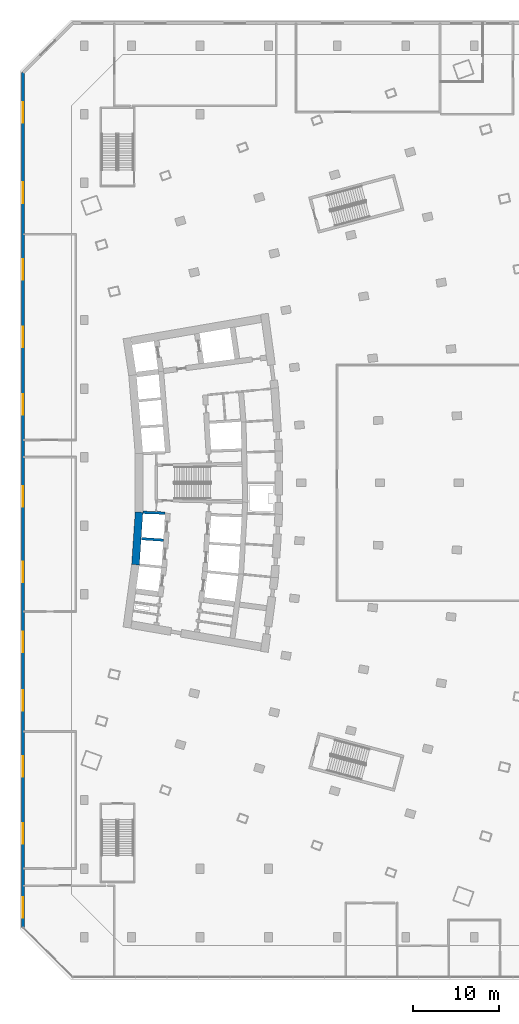
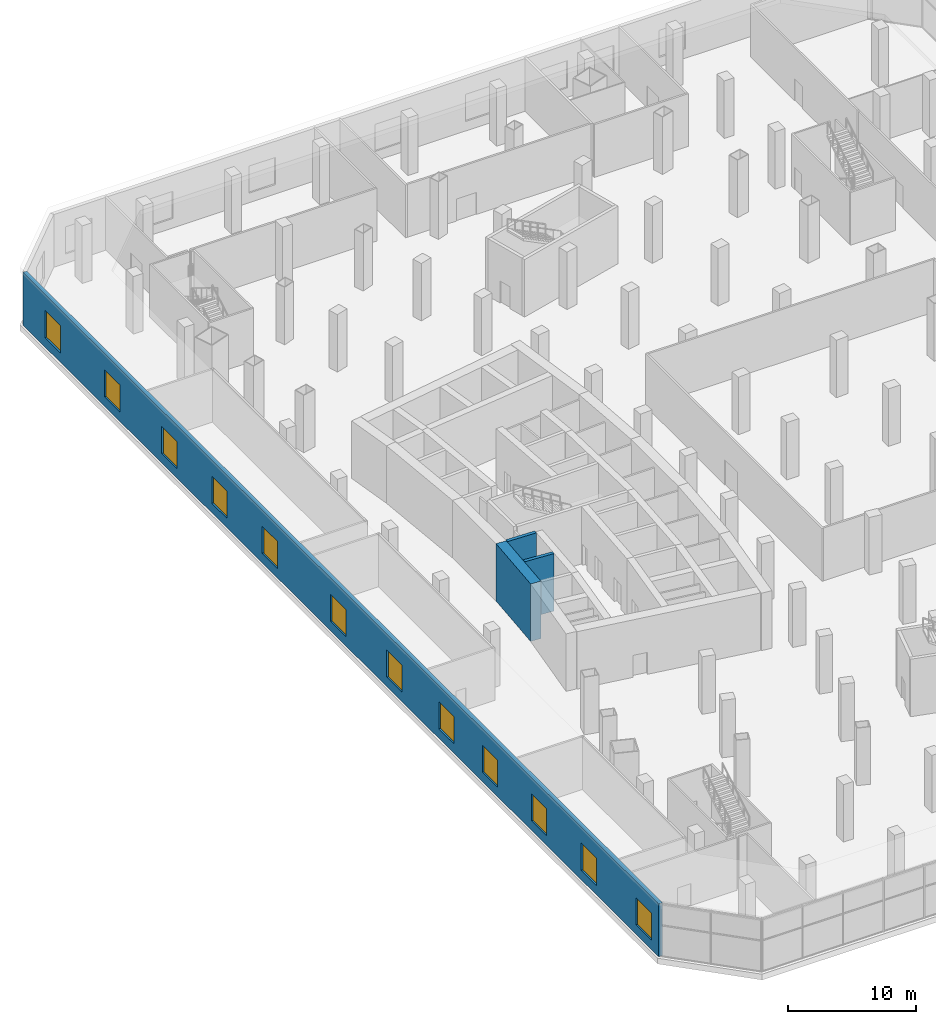
# One storey, part 12 of 26: 12 windows, 4 walls, 12 openings.
"""IFC4 building model written with IfcOpenShell, lengths in metres."""

from ifc_helpers import new_model, si_unit, direction, frame, frame_2d, origin, place, context, subcontext, project, spatial, rectangle, extrude, material, layer, layer_set, type_object, element, fill, save


model = new_model("IFC4")

# Units and contexts
model_context = context("Model", 3, precision=1e-05, world=origin(), true_north=direction((0.0, 1.0)))
body_context = subcontext(model_context, "Body", "Model", "MODEL_VIEW")
ifc_project = project(units=[si_unit("LENGTHUNIT", "METRE"), si_unit("AREAUNIT", "SQUARE_METRE"), si_unit("VOLUMEUNIT", "CUBIC_METRE"), si_unit("PLANEANGLEUNIT", "RADIAN"), si_unit("MASSUNIT", "GRAM", prefix="KILO")], contexts=[model_context])

# Site, building, storey
site_placement = place(None, origin())
site = spatial("IfcSite", under=ifc_project, at=site_placement, CompositionType="ELEMENT")
building_placement = place(site_placement, origin())
building = spatial("IfcBuilding", under=site, at=building_placement, Name="Alderwake Tower", CompositionType="ELEMENT")
storey_placement = place(building_placement, frame((0.0, 0.0, 8.0)))
storey = spatial("IfcBuildingStorey", under=building, at=storey_placement, Name="L01", CompositionType="ELEMENT", Elevation=8.0)

# Walls
ifc_material_1 = material(Name="Concrete C70/85", Category="concrete")
ifc_layer_1 = layer(ifc_material_1, 0.89990234375)
ifc_layer_set_1 = layer_set([ifc_layer_1], Name="Core wall outer 900 C70-85")
wall_type_1 = type_object("IfcWallType", Name="Core wall outer 900 C70-85", PredefinedType="SHEAR", material=ifc_layer_set_1)
wall_1_placement = place(storey_placement, frame((16.47900390625, 51.449951171875, 0.0), z_axis=(0.0, 0.0, 1.0), x_axis=(0.06689316208, 0.997760143956, 0.0)))
element("IfcWall", 1, at=wall_1_placement, inside=storey, type_object=wall_type_1, Name="Core wall CW.041", PredefinedType="SHEAR", context=body_context, shape_type="SweptSolid", body=[
    extrude(rectangle(XDim=6.149658203125, YDim=0.89990234375, at=frame_2d((3.07470703125, 0.0))), origin(), (0.0, 0.0, 1.0), 5.5),
])
ifc_material_2 = material(Name="Concrete C70/85", Category="concrete")
ifc_layer_2 = layer(ifc_material_2, 0.300048828125)
ifc_layer_set_2 = layer_set([ifc_layer_2], Name="Core wall shaft 300 C70-85")
wall_type_2 = type_object("IfcWallType", Name="Core wall shaft 300 C70-85", PredefinedType="SHEAR", material=ifc_layer_set_2)
wall_2_placement = place(storey_placement, frame((17.16357421875, 54.486083984375, 0.0), z_axis=(0.0, 0.0, 1.0), x_axis=(0.997758581961, -0.066916456292, 0.0)))
element("IfcWall", 2, at=wall_2_placement, inside=storey, type_object=wall_type_2, Name="Core wall CW.079", PredefinedType="SHEAR", context=body_context, shape_type="SweptSolid", body=[
    extrude(rectangle(XDim=2.568603515625, YDim=0.300048828125, at=frame_2d((1.2841796875, 0.0))), origin(), (0.0, 0.0, 1.0), 5.5),
])
wall_3_placement = place(storey_placement, frame((17.369140625, 57.553466796875, 0.0), z_axis=(0.0, 0.0, 1.0), x_axis=(0.99937189907, -0.035437372217, 0.0)))
element("IfcWall", 3, at=wall_3_placement, inside=storey, type_object=wall_type_2, Name="Core wall CW.076", PredefinedType="SHEAR", context=body_context, shape_type="SweptSolid", body=[
    extrude(rectangle(XDim=2.56982421875, YDim=0.300048828125, at=frame_2d((1.284912109375, 0.0))), origin(), (0.0, 0.0, 1.0), 5.5),
])

# Wall, openings, windows
ifc_material_3 = material(Name="Precast concrete C50/60 spandrel panel", Category="concrete")
ifc_layer_3 = layer(ifc_material_3, 0.35009765625)
ifc_layer_set_3 = layer_set([ifc_layer_3], Name="External wall EW4 Precast concrete C50/60 podium")
wall_type_3 = type_object("IfcWallType", Name="External wall EW4 Precast concrete C50/60 podium", PredefinedType="SOLIDWALL", material=ifc_layer_set_3)
wall_4_placement = place(storey_placement, frame((3.35009765625, 108.85498046875, 0.0), z_axis=(0.0, 0.0, 1.0), x_axis=(0.0, -1.0, 0.0)))
wall_4 = element("IfcWall", 4, at=wall_4_placement, inside=storey, type_object=wall_type_3, Name="External wall 3", PredefinedType="SOLIDWALL", context=body_context, shape_type="SweptSolid", body=[
    extrude(rectangle(XDim=99.72509765625, YDim=0.35009765625, at=frame_2d((49.862548828125, 0.0))), origin(), (0.0, 0.0, 1.0), 5.050048828125),
])
opening_1_placement = place(wall_4_placement, frame((3.46875, 0.0, 0.89990234375)))
opening_1 = element("IfcOpeningElement", 5, at=opening_1_placement, cuts=wall_4, Name="Opening W6", PredefinedType="OPENING", context=body_context, shape_type="SweptSolid", body=[
    extrude(rectangle(XDim=2.39990234375, YDim=2.60009765625, at=frame_2d((1.199951171875, 1.300048828125))), frame((0.0, 0.18505859375, 0.0), z_axis=(0.0, -1.0, 0.0), x_axis=(1.0, 0.0, 0.0)), (0.0, 0.0, 1.0), 0.3701171875),
])
opening_2_placement = place(wall_4_placement, frame((12.806396484375, 0.0, 0.89990234375)))
opening_2 = element("IfcOpeningElement", 6, at=opening_2_placement, cuts=wall_4, Name="Opening W6", PredefinedType="OPENING", context=body_context, shape_type="SweptSolid", body=[
    extrude(rectangle(XDim=2.39990234375, YDim=2.60009765625, at=frame_2d((1.199951171875, 1.300048828125))), frame((0.0, 0.18505859375, 0.0), z_axis=(0.0, -1.0, 0.0), x_axis=(1.0, 0.0, 0.0)), (0.0, 0.0, 1.0), 0.3701171875),
])
opening_3_placement = place(wall_4_placement, frame((21.77490234375, 0.0, 0.89990234375)))
opening_3 = element("IfcOpeningElement", 7, at=opening_3_placement, cuts=wall_4, Name="Opening W6", PredefinedType="OPENING", context=body_context, shape_type="SweptSolid", body=[
    extrude(rectangle(XDim=2.39990234375, YDim=2.60009765625, at=frame_2d((1.199951171875, 1.300048828125))), frame((0.0, 0.18505859375, 0.0), z_axis=(0.0, -1.0, 0.0), x_axis=(1.0, 0.0, 0.0)), (0.0, 0.0, 1.0), 0.3701171875),
])
opening_4_placement = place(wall_4_placement, frame((29.655029296875, 0.0, 0.89990234375)))
opening_4 = element("IfcOpeningElement", 8, at=opening_4_placement, cuts=wall_4, Name="Opening W6", PredefinedType="OPENING", context=body_context, shape_type="SweptSolid", body=[
    extrude(rectangle(XDim=2.39990234375, YDim=2.60009765625, at=frame_2d((1.199951171875, 1.300048828125))), frame((0.0, 0.18505859375, 0.0), z_axis=(0.0, -1.0, 0.0), x_axis=(1.0, 0.0, 0.0)), (0.0, 0.0, 1.0), 0.3701171875),
])
opening_5_placement = place(wall_4_placement, frame((37.534912109375, 0.0, 0.89990234375)))
opening_5 = element("IfcOpeningElement", 9, at=opening_5_placement, cuts=wall_4, Name="Opening W6", PredefinedType="OPENING", context=body_context, shape_type="SweptSolid", body=[
    extrude(rectangle(XDim=2.39990234375, YDim=2.60009765625, at=frame_2d((1.199951171875, 1.300048828125))), frame((0.0, 0.18505859375, 0.0), z_axis=(0.0, -1.0, 0.0), x_axis=(1.0, 0.0, 0.0)), (0.0, 0.0, 1.0), 0.3701171875),
])
opening_6_placement = place(wall_4_placement, frame((48.24609375, 0.0, 0.89990234375)))
opening_6 = element("IfcOpeningElement", 10, at=opening_6_placement, cuts=wall_4, Name="Opening W6", PredefinedType="OPENING", context=body_context, shape_type="SweptSolid", body=[
    extrude(rectangle(XDim=2.39990234375, YDim=2.60009765625, at=frame_2d((1.199951171875, 1.300048828125))), frame((0.0, 0.18505859375, 0.0), z_axis=(0.0, -1.0, 0.0), x_axis=(1.0, 0.0, 0.0)), (0.0, 0.0, 1.0), 0.3701171875),
])
opening_7_placement = place(wall_4_placement, frame((57.06591796875, 0.0, 0.89990234375)))
opening_7 = element("IfcOpeningElement", 11, at=opening_7_placement, cuts=wall_4, Name="Opening W6", PredefinedType="OPENING", context=body_context, shape_type="SweptSolid", body=[
    extrude(rectangle(XDim=2.39990234375, YDim=2.60009765625, at=frame_2d((1.199951171875, 1.300048828125))), frame((0.0, 0.18505859375, 0.0), z_axis=(0.0, -1.0, 0.0), x_axis=(1.0, 0.0, 0.0)), (0.0, 0.0, 1.0), 0.3701171875),
])
opening_8_placement = place(wall_4_placement, frame((65.24560546875, 0.0, 0.89990234375)))
opening_8 = element("IfcOpeningElement", 12, at=opening_8_placement, cuts=wall_4, Name="Opening W6", PredefinedType="OPENING", context=body_context, shape_type="SweptSolid", body=[
    extrude(rectangle(XDim=2.39990234375, YDim=2.60009765625, at=frame_2d((1.199951171875, 1.300048828125))), frame((0.0, 0.18505859375, 0.0), z_axis=(0.0, -1.0, 0.0), x_axis=(1.0, 0.0, 0.0)), (0.0, 0.0, 1.0), 0.3701171875),
])
opening_9_placement = place(wall_4_placement, frame((72.064453125, 0.0, 0.89990234375)))
opening_9 = element("IfcOpeningElement", 13, at=opening_9_placement, cuts=wall_4, Name="Opening W6", PredefinedType="OPENING", context=body_context, shape_type="SweptSolid", body=[
    extrude(rectangle(XDim=2.39990234375, YDim=2.60009765625, at=frame_2d((1.199951171875, 1.300048828125))), frame((0.0, 0.18505859375, 0.0), z_axis=(0.0, -1.0, 0.0), x_axis=(1.0, 0.0, 0.0)), (0.0, 0.0, 1.0), 0.3701171875),
])
opening_10_placement = place(wall_4_placement, frame((79.744384765625, 0.0, 0.89990234375)))
opening_10 = element("IfcOpeningElement", 14, at=opening_10_placement, cuts=wall_4, Name="Opening W6", PredefinedType="OPENING", context=body_context, shape_type="SweptSolid", body=[
    extrude(rectangle(XDim=2.39990234375, YDim=2.60009765625, at=frame_2d((1.199951171875, 1.300048828125))), frame((0.0, 0.18505859375, 0.0), z_axis=(0.0, -1.0, 0.0), x_axis=(1.0, 0.0, 0.0)), (0.0, 0.0, 1.0), 0.3701171875),
])
opening_11_placement = place(wall_4_placement, frame((87.5654296875, 0.0, 0.89990234375)))
opening_11 = element("IfcOpeningElement", 15, at=opening_11_placement, cuts=wall_4, Name="Opening W6", PredefinedType="OPENING", context=body_context, shape_type="SweptSolid", body=[
    extrude(rectangle(XDim=2.39990234375, YDim=2.60009765625, at=frame_2d((1.199951171875, 1.300048828125))), frame((0.0, 0.18505859375, 0.0), z_axis=(0.0, -1.0, 0.0), x_axis=(1.0, 0.0, 0.0)), (0.0, 0.0, 1.0), 0.3701171875),
])
opening_12_placement = place(wall_4_placement, frame((96.179443359375, 0.0, 0.89990234375)))
opening_12 = element("IfcOpeningElement", 16, at=opening_12_placement, cuts=wall_4, Name="Opening W6", PredefinedType="OPENING", context=body_context, shape_type="SweptSolid", body=[
    extrude(rectangle(XDim=2.39990234375, YDim=2.60009765625, at=frame_2d((1.199951171875, 1.300048828125))), frame((0.0, 0.18505859375, 0.0), z_axis=(0.0, -1.0, 0.0), x_axis=(1.0, 0.0, 0.0)), (0.0, 0.0, 1.0), 0.3701171875),
])
ifc_material_4 = material(Name="Bronze tinted glass in aluminium frame", Category="aluminium")
window_type = type_object("IfcWindowType", Name="Window W6 podium", PartitioningType="DOUBLE_PANEL_VERTICAL", PredefinedType="WINDOW", material=ifc_material_4)
window_1_placement = place(opening_1_placement, origin())
window_1 = element("IfcWindow", 17, at=window_1_placement, inside=storey, type_object=window_type, Name="Window W6 podium", OverallHeight=2.60009765625, OverallWidth=2.39990234375, PartitioningType="DOUBLE_PANEL_VERTICAL", PredefinedType="WINDOW", context=body_context, shape_type="SweptSolid", body=[
    extrude(rectangle(XDim=2.39990234375, YDim=2.60009765625, at=frame_2d((1.199951171875, 1.300048828125))), frame((0.0, 0.030029296875, 0.0), z_axis=(0.0, -1.0, 0.0), x_axis=(1.0, 0.0, 0.0)), (0.0, 0.0, 1.0), 0.06005859375),
])
fill(opening_1, window_1)
window_2_placement = place(opening_2_placement, origin())
window_2 = element("IfcWindow", 18, at=window_2_placement, inside=storey, type_object=window_type, Name="Window W6 podium", OverallHeight=2.60009765625, OverallWidth=2.39990234375, PartitioningType="DOUBLE_PANEL_VERTICAL", PredefinedType="WINDOW", context=body_context, shape_type="SweptSolid", body=[
    extrude(rectangle(XDim=2.39990234375, YDim=2.60009765625, at=frame_2d((1.199951171875, 1.300048828125))), frame((0.0, 0.030029296875, 0.0), z_axis=(0.0, -1.0, 0.0), x_axis=(1.0, 0.0, 0.0)), (0.0, 0.0, 1.0), 0.06005859375),
])
fill(opening_2, window_2)
window_3_placement = place(opening_3_placement, origin())
window_3 = element("IfcWindow", 19, at=window_3_placement, inside=storey, type_object=window_type, Name="Window W6 podium", OverallHeight=2.60009765625, OverallWidth=2.39990234375, PartitioningType="DOUBLE_PANEL_VERTICAL", PredefinedType="WINDOW", context=body_context, shape_type="SweptSolid", body=[
    extrude(rectangle(XDim=2.39990234375, YDim=2.60009765625, at=frame_2d((1.199951171875, 1.300048828125))), frame((0.0, 0.030029296875, 0.0), z_axis=(0.0, -1.0, 0.0), x_axis=(1.0, 0.0, 0.0)), (0.0, 0.0, 1.0), 0.06005859375),
])
fill(opening_3, window_3)
window_4_placement = place(opening_4_placement, origin())
window_4 = element("IfcWindow", 20, at=window_4_placement, inside=storey, type_object=window_type, Name="Window W6 podium", OverallHeight=2.60009765625, OverallWidth=2.39990234375, PartitioningType="DOUBLE_PANEL_VERTICAL", PredefinedType="WINDOW", context=body_context, shape_type="SweptSolid", body=[
    extrude(rectangle(XDim=2.39990234375, YDim=2.60009765625, at=frame_2d((1.199951171875, 1.300048828125))), frame((0.0, 0.030029296875, 0.0), z_axis=(0.0, -1.0, 0.0), x_axis=(1.0, 0.0, 0.0)), (0.0, 0.0, 1.0), 0.06005859375),
])
fill(opening_4, window_4)
window_5_placement = place(opening_5_placement, origin())
window_5 = element("IfcWindow", 21, at=window_5_placement, inside=storey, type_object=window_type, Name="Window W6 podium", OverallHeight=2.60009765625, OverallWidth=2.39990234375, PartitioningType="DOUBLE_PANEL_VERTICAL", PredefinedType="WINDOW", context=body_context, shape_type="SweptSolid", body=[
    extrude(rectangle(XDim=2.39990234375, YDim=2.60009765625, at=frame_2d((1.199951171875, 1.300048828125))), frame((0.0, 0.030029296875, 0.0), z_axis=(0.0, -1.0, 0.0), x_axis=(1.0, 0.0, 0.0)), (0.0, 0.0, 1.0), 0.06005859375),
])
fill(opening_5, window_5)
window_6_placement = place(opening_6_placement, origin())
window_6 = element("IfcWindow", 22, at=window_6_placement, inside=storey, type_object=window_type, Name="Window W6 podium", OverallHeight=2.60009765625, OverallWidth=2.39990234375, PartitioningType="DOUBLE_PANEL_VERTICAL", PredefinedType="WINDOW", context=body_context, shape_type="SweptSolid", body=[
    extrude(rectangle(XDim=2.39990234375, YDim=2.60009765625, at=frame_2d((1.199951171875, 1.300048828125))), frame((0.0, 0.030029296875, 0.0), z_axis=(0.0, -1.0, 0.0), x_axis=(1.0, 0.0, 0.0)), (0.0, 0.0, 1.0), 0.06005859375),
])
fill(opening_6, window_6)
window_7_placement = place(opening_7_placement, origin())
window_7 = element("IfcWindow", 23, at=window_7_placement, inside=storey, type_object=window_type, Name="Window W6 podium", OverallHeight=2.60009765625, OverallWidth=2.39990234375, PartitioningType="DOUBLE_PANEL_VERTICAL", PredefinedType="WINDOW", context=body_context, shape_type="SweptSolid", body=[
    extrude(rectangle(XDim=2.39990234375, YDim=2.60009765625, at=frame_2d((1.199951171875, 1.300048828125))), frame((0.0, 0.030029296875, 0.0), z_axis=(0.0, -1.0, 0.0), x_axis=(1.0, 0.0, 0.0)), (0.0, 0.0, 1.0), 0.06005859375),
])
fill(opening_7, window_7)
window_8_placement = place(opening_8_placement, origin())
window_8 = element("IfcWindow", 24, at=window_8_placement, inside=storey, type_object=window_type, Name="Window W6 podium", OverallHeight=2.60009765625, OverallWidth=2.39990234375, PartitioningType="DOUBLE_PANEL_VERTICAL", PredefinedType="WINDOW", context=body_context, shape_type="SweptSolid", body=[
    extrude(rectangle(XDim=2.39990234375, YDim=2.60009765625, at=frame_2d((1.199951171875, 1.300048828125))), frame((0.0, 0.030029296875, 0.0), z_axis=(0.0, -1.0, 0.0), x_axis=(1.0, 0.0, 0.0)), (0.0, 0.0, 1.0), 0.06005859375),
])
fill(opening_8, window_8)
window_9_placement = place(opening_9_placement, origin())
window_9 = element("IfcWindow", 25, at=window_9_placement, inside=storey, type_object=window_type, Name="Window W6 podium", OverallHeight=2.60009765625, OverallWidth=2.39990234375, PartitioningType="DOUBLE_PANEL_VERTICAL", PredefinedType="WINDOW", context=body_context, shape_type="SweptSolid", body=[
    extrude(rectangle(XDim=2.39990234375, YDim=2.60009765625, at=frame_2d((1.199951171875, 1.300048828125))), frame((0.0, 0.030029296875, 0.0), z_axis=(0.0, -1.0, 0.0), x_axis=(1.0, 0.0, 0.0)), (0.0, 0.0, 1.0), 0.06005859375),
])
fill(opening_9, window_9)
window_10_placement = place(opening_10_placement, origin())
window_10 = element("IfcWindow", 26, at=window_10_placement, inside=storey, type_object=window_type, Name="Window W6 podium", OverallHeight=2.60009765625, OverallWidth=2.39990234375, PartitioningType="DOUBLE_PANEL_VERTICAL", PredefinedType="WINDOW", context=body_context, shape_type="SweptSolid", body=[
    extrude(rectangle(XDim=2.39990234375, YDim=2.60009765625, at=frame_2d((1.199951171875, 1.300048828125))), frame((0.0, 0.030029296875, 0.0), z_axis=(0.0, -1.0, 0.0), x_axis=(1.0, 0.0, 0.0)), (0.0, 0.0, 1.0), 0.06005859375),
])
fill(opening_10, window_10)
window_11_placement = place(opening_11_placement, origin())
window_11 = element("IfcWindow", 27, at=window_11_placement, inside=storey, type_object=window_type, Name="Window W6 podium", OverallHeight=2.60009765625, OverallWidth=2.39990234375, PartitioningType="DOUBLE_PANEL_VERTICAL", PredefinedType="WINDOW", context=body_context, shape_type="SweptSolid", body=[
    extrude(rectangle(XDim=2.39990234375, YDim=2.60009765625, at=frame_2d((1.199951171875, 1.300048828125))), frame((0.0, 0.030029296875, 0.0), z_axis=(0.0, -1.0, 0.0), x_axis=(1.0, 0.0, 0.0)), (0.0, 0.0, 1.0), 0.06005859375),
])
fill(opening_11, window_11)
window_12_placement = place(opening_12_placement, origin())
window_12 = element("IfcWindow", 28, at=window_12_placement, inside=storey, type_object=window_type, Name="Window W6 podium", OverallHeight=2.60009765625, OverallWidth=2.39990234375, PartitioningType="DOUBLE_PANEL_VERTICAL", PredefinedType="WINDOW", context=body_context, shape_type="SweptSolid", body=[
    extrude(rectangle(XDim=2.39990234375, YDim=2.60009765625, at=frame_2d((1.199951171875, 1.300048828125))), frame((0.0, 0.030029296875, 0.0), z_axis=(0.0, -1.0, 0.0), x_axis=(1.0, 0.0, 0.0)), (0.0, 0.0, 1.0), 0.06005859375),
])
fill(opening_12, window_12)

save(model, "model.ifc")
